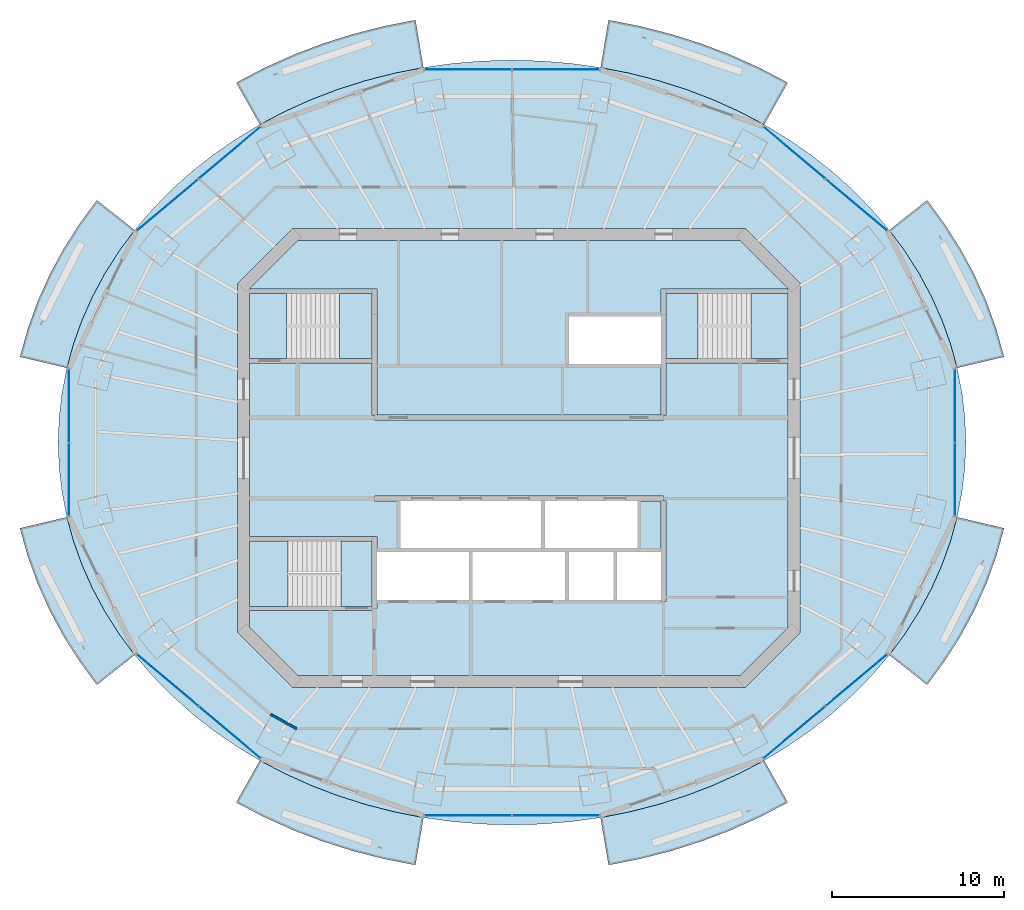
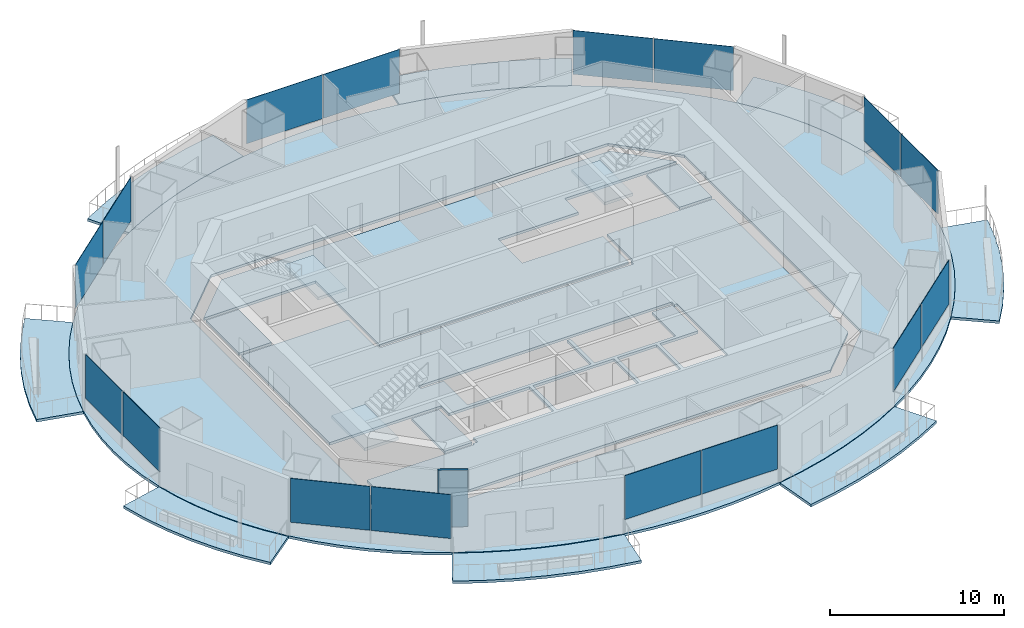
# One storey, part 7 of 16: 17 slabs, 16 plates, 1 wall, 11 elements without a shape of their own.
"""IFC4 building model written with IfcOpenShell, lengths in metres."""

from ifc_helpers import new_model, si_unit, direction, frame, frame_2d, origin, origin_2d, place, context, subcontext, project, spatial, polyline, rectangle, outline, extrude, material, layer, layer_set, type_object, element, aggregate, save


model = new_model("IFC4")

# Units and contexts
model_context = context("Model", 3, precision=1e-05, world=origin(), true_north=direction((0.0, 1.0)))
body_context = subcontext(model_context, "Body", "Model", "MODEL_VIEW")
ifc_project = project(units=[si_unit("LENGTHUNIT", "METRE"), si_unit("AREAUNIT", "SQUARE_METRE"), si_unit("VOLUMEUNIT", "CUBIC_METRE"), si_unit("PLANEANGLEUNIT", "RADIAN"), si_unit("MASSUNIT", "GRAM", prefix="KILO")], contexts=[model_context])

# Site, building, storey
site_placement = place(None, origin())
site = spatial("IfcSite", under=ifc_project, at=site_placement, CompositionType="ELEMENT")
building_placement = place(site_placement, origin())
building = spatial("IfcBuilding", under=site, at=building_placement, Name="Marenthal Gate Tower", CompositionType="ELEMENT")
storey_placement = place(building_placement, frame((0.0, 0.0, 363.35009765625)))
storey = spatial("IfcBuildingStorey", under=building, at=storey_placement, Name="L82", CompositionType="ELEMENT", Elevation=363.35009765625)

# Slabs
ifc_material_1 = material(Name="Concrete 40 MPa", Category="concrete")
ifc_layer_1 = layer(ifc_material_1, 0.179931640625)
ifc_layer_set_1 = layer_set([ifc_layer_1], Name="Balcony deck 180")
slab_type_1 = type_object("IfcSlabType", Name="Balcony deck 180", PredefinedType="USERDEFINED", material=ifc_layer_set_1)
slab_1_placement = place(storey_placement, frame((0.0, 0.0, -0.22021484375)))
element("IfcSlab", 1, at=slab_1_placement, inside=storey, type_object=slab_type_1, Name="Balcony deck L82 bay 1", ObjectType="BALCONY", PredefinedType="USERDEFINED", context=body_context, shape_type="SweptSolid", body=[
    extrude(outline(polyline([(25.47802734375, 5.237060546875), (25.0859375, 6.65380859375), (24.584716796875, 8.0458984375), (23.9765625, 9.407470703125), (23.263916015625, 10.732421875), (22.4501953125, 12.015380859375), (21.538330078125, 13.2509765625), (23.732177734375, 14.99072265625), (24.759765625, 13.59814453125), (25.680419921875, 12.14697265625), (26.4892578125, 10.642822265625), (27.181884765625, 9.09228515625), (27.75439453125, 7.50244140625), (28.203125, 5.88037109375), (25.47802734375, 5.237060546875)])), origin(), (0.0, 0.0, 1.0), 0.18017578125),
])
slab_2_placement = place(storey_placement, frame((0.0, 0.0, -0.22021484375)))
element("IfcSlab", 2, at=slab_2_placement, inside=storey, type_object=slab_type_1, Name="Balcony deck L82 bay 3", ObjectType="BALCONY", PredefinedType="USERDEFINED", context=body_context, shape_type="SweptSolid", body=[
    extrude(outline(polyline([(14.2587890625, 19.384521484375), (12.79248046875, 20.152587890625), (11.269775390625, 20.83837890625), (9.697021484375, 21.438720703125), (8.081298828125, 21.951171875), (6.428955078125, 22.37353515625), (4.74755859375, 22.703857421875), (5.210205078125, 25.46533203125), (7.04541015625, 25.104736328125), (8.85107421875, 24.643310546875), (10.61962890625, 24.08251953125), (12.34423828125, 23.424072265625), (14.017333984375, 22.67041015625), (15.63232421875, 21.82421875), (14.2587890625, 19.384521484375)])), origin(), (0.0, 0.0, 1.0), 0.18017578125),
])
slab_3_placement = place(storey_placement, frame((0.0, 0.0, -0.22021484375)))
element("IfcSlab", 3, at=slab_3_placement, inside=storey, type_object=slab_type_1, Name="Balcony deck L82 bay 5", ObjectType="BALCONY", PredefinedType="USERDEFINED", context=body_context, shape_type="SweptSolid", body=[
    extrude(outline(polyline([(-5.547607421875, 22.703857421875), (-7.22900390625, 22.37353515625), (-8.881103515625, 21.951171875), (-10.4970703125, 21.438720703125), (-12.06982421875, 20.83837890625), (-13.592529296875, 20.152587890625), (-15.05859375, 19.384521484375), (-16.432373046875, 21.82421875), (-14.8173828125, 22.67041015625), (-13.14404296875, 23.424072265625), (-11.419677734375, 24.08251953125), (-9.651123046875, 24.643310546875), (-7.845458984375, 25.104736328125), (-6.01025390625, 25.46533203125), (-5.547607421875, 22.703857421875)])), origin(), (0.0, 0.0, 1.0), 0.18017578125),
])
slab_4_placement = place(storey_placement, frame((0.0, 0.0, -0.22021484375)))
element("IfcSlab", 4, at=slab_4_placement, inside=storey, type_object=slab_type_1, Name="Balcony deck L82 bay 7", ObjectType="BALCONY", PredefinedType="USERDEFINED", context=body_context, shape_type="SweptSolid", body=[
    extrude(outline(polyline([(-22.33837890625, 13.2509765625), (-23.25, 12.015380859375), (-24.06396484375, 10.732421875), (-24.776611328125, 9.407470703125), (-25.384765625, 8.0458984375), (-25.885986328125, 6.65380859375), (-26.278076171875, 5.237060546875), (-29.003173828125, 5.88037109375), (-28.55419921875, 7.50244140625), (-27.98193359375, 9.09228515625), (-27.289306640625, 10.642822265625), (-26.48046875, 12.14697265625), (-25.559814453125, 13.59814453125), (-24.5322265625, 14.99072265625), (-22.33837890625, 13.2509765625)])), origin(), (0.0, 0.0, 1.0), 0.18017578125),
])
slab_5_placement = place(storey_placement, frame((0.0, 0.0, -0.22021484375)))
element("IfcSlab", 5, at=slab_5_placement, inside=storey, type_object=slab_type_1, Name="Balcony deck L82 bay 9", ObjectType="BALCONY", PredefinedType="USERDEFINED", context=body_context, shape_type="SweptSolid", body=[
    extrude(outline(polyline([(-26.278076171875, -3.43701171875), (-25.885986328125, -4.853759765625), (-25.384765625, -6.245849609375), (-24.776611328125, -7.607421875), (-24.06396484375, -8.9326171875), (-23.25, -10.215576171875), (-22.33837890625, -11.450927734375), (-24.5322265625, -13.190673828125), (-25.559814453125, -11.79833984375), (-26.48046875, -10.346923828125), (-27.289306640625, -8.8427734375), (-27.98193359375, -7.292236328125), (-28.55419921875, -5.702392578125), (-29.003173828125, -4.08056640625), (-26.278076171875, -3.43701171875)])), origin(), (0.0, 0.0, 1.0), 0.18017578125),
])
slab_6_placement = place(storey_placement, frame((0.0, 0.0, -0.22021484375)))
element("IfcSlab", 6, at=slab_6_placement, inside=storey, type_object=slab_type_1, Name="Balcony deck L82 bay 11", ObjectType="BALCONY", PredefinedType="USERDEFINED", context=body_context, shape_type="SweptSolid", body=[
    extrude(outline(polyline([(-15.05859375, -17.58447265625), (-13.592529296875, -18.3525390625), (-12.06982421875, -19.038330078125), (-10.4970703125, -19.638916015625), (-8.881103515625, -20.151123046875), (-7.22900390625, -20.573486328125), (-5.547607421875, -20.90380859375), (-6.01025390625, -23.665283203125), (-7.845458984375, -23.3046875), (-9.651123046875, -22.84326171875), (-11.419677734375, -22.282470703125), (-13.14404296875, -21.6240234375), (-14.8173828125, -20.87060546875), (-16.432373046875, -20.0244140625), (-15.05859375, -17.58447265625)])), origin(), (0.0, 0.0, 1.0), 0.18017578125),
])
slab_7_placement = place(storey_placement, frame((0.0, 0.0, -0.22021484375)))
element("IfcSlab", 7, at=slab_7_placement, inside=storey, type_object=slab_type_1, Name="Balcony deck L82 bay 13", ObjectType="BALCONY", PredefinedType="USERDEFINED", context=body_context, shape_type="SweptSolid", body=[
    extrude(outline(polyline([(4.74755859375, -20.90380859375), (6.428955078125, -20.573486328125), (8.081298828125, -20.151123046875), (9.697021484375, -19.638916015625), (11.269775390625, -19.038330078125), (12.79248046875, -18.3525390625), (14.2587890625, -17.58447265625), (15.63232421875, -20.0244140625), (14.017333984375, -20.87060546875), (12.34423828125, -21.6240234375), (10.61962890625, -22.282470703125), (8.85107421875, -22.84326171875), (7.04541015625, -23.3046875), (5.210205078125, -23.665283203125), (4.74755859375, -20.90380859375)])), origin(), (0.0, 0.0, 1.0), 0.18017578125),
])
slab_8_placement = place(storey_placement, frame((0.0, 0.0, -0.22021484375)))
element("IfcSlab", 8, at=slab_8_placement, inside=storey, type_object=slab_type_1, Name="Balcony deck L82 bay 15", ObjectType="BALCONY", PredefinedType="USERDEFINED", context=body_context, shape_type="SweptSolid", body=[
    extrude(outline(polyline([(21.538330078125, -11.450927734375), (22.4501953125, -10.215576171875), (23.263916015625, -8.9326171875), (23.9765625, -7.607421875), (24.584716796875, -6.245849609375), (25.0859375, -4.853759765625), (25.47802734375, -3.43701171875), (28.203125, -4.08056640625), (27.75439453125, -5.702392578125), (27.181884765625, -7.292236328125), (26.4892578125, -8.8427734375), (25.680419921875, -10.346923828125), (24.759765625, -11.79833984375), (23.732177734375, -13.190673828125), (21.538330078125, -11.450927734375)])), origin(), (0.0, 0.0, 1.0), 0.18017578125),
])
ifc_material_2 = material(Name="Concrete 50 MPa", Category="concrete")
ifc_layer_2 = layer(ifc_material_2, 0.179931640625)
ifc_layer_set_2 = layer_set([ifc_layer_2], Name="Core floor slab 180")
slab_type_2 = type_object("IfcSlabType", Name="Core floor slab 180", PredefinedType="FLOOR", material=ifc_layer_set_2)
slab_9_placement = place(storey_placement, frame((0.0, 0.0, -0.18017578125)))
element("IfcSlab", 9, at=slab_9_placement, inside=storey, type_object=slab_type_2, Name="Core floor L82", PredefinedType="FLOOR", context=body_context, shape_type="SweptSolid", body=[
    extrude(outline(polyline([(12.85498046875, -12.64990234375), (-12.85498046875, -12.64990234375), (-15.64990234375, -9.85498046875), (-15.64990234375, -8.875), (-8.550048828125, -8.875), (-8.550048828125, -8.75), (-8.25, -8.75), (-8.25, -8.239990234375), (-5.60009765625, -8.239990234375), (-2.909912109375, -8.239990234375), (-2.909912109375, -5.4599609375), (-5.60009765625, -5.4599609375), (-8.25, -5.4599609375), (-8.25, -4.574951171875), (-8.550048828125, -4.574951171875), (-15.64990234375, -4.574951171875), (-15.64990234375, 5.52490234375), (-8.550048828125, 5.52490234375), (-8.550048828125, 2.5), (-8.39990234375, 2.5), (-8.39990234375, 2.199951171875), (8.39990234375, 2.199951171875), (8.39990234375, 2.5), (8.550048828125, 2.5), (8.550048828125, 5.52490234375), (15.64990234375, 5.52490234375), (15.64990234375, -9.85498046875), (12.85498046875, -12.64990234375)]), holes=[polyline([(0.0, -8.239990234375), (2.68994140625, -8.239990234375), (2.68994140625, -5.4599609375), (0.0, -5.4599609375), (-2.68994140625, -5.4599609375), (-2.68994140625, -8.239990234375), (0.0, -8.239990234375)]), polyline([(1.2900390625, -5.239990234375), (1.2900390625, -2.5), (1.510009765625, -2.5), (1.510009765625, -5.239990234375), (4.199951171875, -5.239990234375), (6.889892578125, -5.239990234375), (6.889892578125, -2.5), (8.25, -2.5), (8.25, -5.4599609375), (5.7099609375, -5.4599609375), (5.7099609375, -8.239990234375), (8.25, -8.239990234375), (8.25, -8.35009765625), (8.550048828125, -8.35009765625), (8.550048828125, -2.5), (8.39990234375, -2.5), (8.39990234375, -2.199951171875), (-8.39990234375, -2.199951171875), (-8.39990234375, -2.5), (-6.889892578125, -2.5), (-6.889892578125, -5.239990234375), (-4.199951171875, -5.239990234375), (-1.39990234375, -5.239990234375), (1.2900390625, -5.239990234375)]), polyline([(5.489990234375, -5.4599609375), (2.909912109375, -5.4599609375), (2.909912109375, -8.239990234375), (5.489990234375, -8.239990234375), (5.489990234375, -5.4599609375)])]), origin(), (0.0, 0.0, 1.0), 0.18017578125),
])
slab_10_placement = place(storey_placement, frame((0.0, 0.0, -0.18017578125)))
element("IfcSlab", 10, at=slab_10_placement, inside=storey, type_object=slab_type_2, Name="Core floor L82", PredefinedType="FLOOR", context=body_context, shape_type="SweptSolid", body=[
    extrude(outline(polyline([(15.64990234375, 5.77490234375), (13.5, 5.77490234375), (13.5, 9.574951171875), (15.64990234375, 9.574951171875), (15.64990234375, 5.77490234375)])), origin(), (0.0, 0.0, 1.0), 0.18017578125),
])
slab_11_placement = place(storey_placement, frame((0.0, 0.0, -0.18017578125)))
element("IfcSlab", 11, at=slab_11_placement, inside=storey, type_object=slab_type_2, Name="Core floor L82", PredefinedType="FLOOR", context=body_context, shape_type="SweptSolid", body=[
    extrude(outline(polyline([(15.64990234375, 9.824951171875), (8.550048828125, 9.824951171875), (8.25, 9.824951171875), (8.25, 8.35009765625), (8.25, 8.239990234375), (5.60009765625, 8.239990234375), (2.909912109375, 8.239990234375), (2.909912109375, 5.4599609375), (5.60009765625, 5.4599609375), (8.25, 5.4599609375), (8.25, 2.5), (-8.25, 2.5), (-8.25, 8.35009765625), (-8.25, 9.824951171875), (-8.550048828125, 9.824951171875), (-15.64990234375, 9.824951171875), (-15.64990234375, 9.85498046875), (-12.85498046875, 12.64990234375), (12.85498046875, 12.64990234375), (15.64990234375, 9.85498046875), (15.64990234375, 9.824951171875)])), origin(), (0.0, 0.0, 1.0), 0.18017578125),
])
slab_12_placement = place(storey_placement, frame((0.0, 0.0, -0.18017578125)))
element("IfcSlab", 12, at=slab_12_placement, inside=storey, type_object=slab_type_2, Name="Core floor L82", PredefinedType="FLOOR", context=body_context, shape_type="SweptSolid", body=[
    extrude(outline(polyline([(-15.64990234375, 9.574951171875), (-13.5, 9.574951171875), (-13.5, 5.77490234375), (-15.64990234375, 5.77490234375), (-15.64990234375, 9.574951171875)])), origin(), (0.0, 0.0, 1.0), 0.18017578125),
])
slab_13_placement = place(storey_placement, frame((0.0, 0.0, -0.18017578125)))
element("IfcSlab", 13, at=slab_13_placement, inside=storey, type_object=slab_type_2, Name="Core floor L82", PredefinedType="FLOOR", context=body_context, shape_type="SweptSolid", body=[
    extrude(outline(polyline([(-8.550048828125, -4.824951171875), (-8.550048828125, -8.625), (-10.35009765625, -8.625), (-10.35009765625, -4.824951171875), (-8.550048828125, -4.824951171875)])), origin(), (0.0, 0.0, 1.0), 0.18017578125),
])
ifc_material_3 = material(Name="Concrete 35 MPa", Category="concrete")
ifc_layer_3 = layer(ifc_material_3, 0.179931640625)
ifc_layer_set_3 = layer_set([ifc_layer_3], Name="Floor slab 180")
slab_type_3 = type_object("IfcSlabType", Name="Floor slab 180", PredefinedType="FLOOR", material=ifc_layer_set_3)
slab_14_placement = place(storey_placement, frame((0.0, 0.0, -0.18017578125)))
element("IfcSlab", 14, at=slab_14_placement, inside=storey, type_object=slab_type_3, Name="SL-L82-01", PredefinedType="FLOOR", context=body_context, shape_type="SweptSolid", body=[
    extrude(outline(polyline([(25.985107421875, 0.89990234375), (25.928466796875, 2.35400390625), (25.75927734375, 3.8017578125), (25.47802734375, 5.237060546875), (25.0859375, 6.65380859375), (24.584716796875, 8.0458984375), (23.9765625, 9.407470703125), (23.263916015625, 10.732421875), (22.4501953125, 12.015380859375), (21.538330078125, 13.2509765625), (20.53271484375, 14.433349609375), (19.437255859375, 15.557861328125), (18.257080078125, 16.61962890625), (16.996826171875, 17.6142578125), (15.662109375, 18.537109375), (14.2587890625, 19.384521484375), (12.79248046875, 20.152587890625), (11.269775390625, 20.83837890625), (9.697021484375, 21.438720703125), (8.081298828125, 21.951171875), (6.428955078125, 22.37353515625), (4.74755859375, 22.703857421875), (3.0439453125, 22.94091796875), (1.32568359375, 23.08349609375), (-0.39990234375, 23.131103515625), (-2.125732421875, 23.08349609375), (-3.843994140625, 22.94091796875), (-5.547607421875, 22.703857421875), (-7.22900390625, 22.37353515625), (-8.881103515625, 21.951171875), (-10.4970703125, 21.438720703125), (-12.06982421875, 20.83837890625), (-13.592529296875, 20.152587890625), (-15.05859375, 19.384521484375), (-16.462158203125, 18.537109375), (-17.796875, 17.6142578125), (-19.056884765625, 16.61962890625), (-20.2373046875, 15.557861328125), (-21.33251953125, 14.433349609375), (-22.33837890625, 13.2509765625), (-23.25, 12.015380859375), (-24.06396484375, 10.732421875), (-24.776611328125, 9.407470703125), (-25.384765625, 8.0458984375), (-25.885986328125, 6.65380859375), (-26.278076171875, 5.237060546875), (-26.559326171875, 3.8017578125), (-26.728515625, 2.35400390625), (-26.784912109375, 0.89990234375), (-26.728515625, -0.553955078125), (-26.559326171875, -2.001708984375), (-26.278076171875, -3.43701171875), (-25.885986328125, -4.853759765625), (-25.384765625, -6.245849609375), (-24.776611328125, -7.607421875), (-24.06396484375, -8.9326171875), (-23.25, -10.215576171875), (-22.33837890625, -11.450927734375), (-21.33251953125, -12.63330078125), (-20.2373046875, -13.7578125), (-19.056884765625, -14.819580078125), (-17.796875, -15.814208984375), (-16.462158203125, -16.737060546875), (-15.05859375, -17.58447265625), (-13.592529296875, -18.3525390625), (-12.06982421875, -19.038330078125), (-10.4970703125, -19.638916015625), (-8.881103515625, -20.151123046875), (-7.22900390625, -20.573486328125), (-5.547607421875, -20.90380859375), (-3.843994140625, -21.140869140625), (-2.125732421875, -21.283447265625), (-0.39990234375, -21.3310546875), (1.32568359375, -21.283447265625), (3.0439453125, -21.140869140625), (4.74755859375, -20.90380859375), (6.428955078125, -20.573486328125), (8.081298828125, -20.151123046875), (9.697021484375, -19.638916015625), (11.269775390625, -19.038330078125), (12.79248046875, -18.3525390625), (14.2587890625, -17.58447265625), (15.662109375, -16.737060546875), (16.996826171875, -15.814208984375), (18.257080078125, -14.819580078125), (19.437255859375, -13.7578125), (20.53271484375, -12.63330078125), (21.538330078125, -11.450927734375), (22.4501953125, -10.215576171875), (23.263916015625, -8.9326171875), (23.9765625, -7.607421875), (24.584716796875, -6.245849609375), (25.0859375, -4.853759765625), (25.47802734375, -3.43701171875), (25.75927734375, -2.001708984375), (25.928466796875, -0.553955078125), (25.985107421875, 0.89990234375)]), holes=[polyline([(13.14501953125, -13.35009765625), (16.35009765625, -10.14501953125), (16.35009765625, 10.14501953125), (13.14501953125, 13.35009765625), (-13.14501953125, 13.35009765625), (-16.35009765625, 10.14501953125), (-16.35009765625, -10.14501953125), (-13.14501953125, -13.35009765625), (13.14501953125, -13.35009765625)])]), origin(), (0.0, 0.0, 1.0), 0.18017578125),
])

# Curtain wall, plates
ifc_material_4 = material(Name="Aluminium and glass", Category="aluminium")
curtain_wall_type = type_object("IfcCurtainWallType", Name="Curtain wall typical high", PredefinedType="NOTDEFINED", material=ifc_material_4)
curtain_wall_1_placement = place(storey_placement, origin())
curtain_wall_1 = element("IfcCurtainWall", 15, at=curtain_wall_1_placement, inside=storey, type_object=curtain_wall_type, Name="Curtain wall L82 bay 2", PredefinedType="NOTDEFINED")
ifc_material_5 = material(Name="Glass, laminated insulating unit", Category="glass")
ifc_layer_4 = layer(ifc_material_5, 0.031982421875)
ifc_layer_set_4 = layer_set([ifc_layer_4], Name="Glass panel 32 typical high")
plate_type = type_object("IfcPlateType", Name="Glass panel 32 typical high", PredefinedType="CURTAIN_PANEL", material=ifc_layer_set_4)
plate_1_placement = place(storey_placement, frame((19.615478515625, 14.718994140625, 0.89990234375), z_axis=(0.0, 0.0, 1.0), x_axis=(-0.765006459905, 0.644022605429, 0.0)))
plate_1 = element("IfcPlate", 16, at=plate_1_placement, type_object=plate_type, Name="Glass panel L82 bay 2.1", PredefinedType="CURTAIN_PANEL", context=body_context, shape_type="SweptSolid", body=[
    extrude(rectangle(XDim=4.646240234375, YDim=0.031982421875, at=origin_2d()), origin(), (0.0, 0.0, 1.0), 3.070068359375),
])
plate_2_placement = place(storey_placement, frame((16.01513671875, 17.749755859375, 0.89990234375), z_axis=(0.0, 0.0, 1.0), x_axis=(-0.765006459905, 0.644022605429, 0.0)))
plate_2 = element("IfcPlate", 17, at=plate_2_placement, type_object=plate_type, Name="Glass panel L82 bay 2.2", PredefinedType="CURTAIN_PANEL", context=body_context, shape_type="SweptSolid", body=[
    extrude(rectangle(XDim=4.64599609375, YDim=0.031982421875, at=origin_2d()), origin(), (0.0, 0.0, 1.0), 3.070068359375),
])
aggregate(curtain_wall_1, [plate_1, plate_2])

curtain_wall_2_placement = place(storey_placement, origin())
curtain_wall_2 = element("IfcCurtainWall", 18, at=curtain_wall_2_placement, inside=storey, type_object=curtain_wall_type, Name="Curtain wall L82 bay 4", PredefinedType="NOTDEFINED")
plate_3_placement = place(storey_placement, frame((2.14697265625, 22.586181640625, 0.89990234375), z_axis=(0.0, 0.0, 1.0), x_axis=(-1.0, 0.0, 0.0)))
plate_3 = element("IfcPlate", 19, at=plate_3_placement, type_object=plate_type, Name="Glass panel L82 bay 4.1", PredefinedType="CURTAIN_PANEL", context=body_context, shape_type="SweptSolid", body=[
    extrude(rectangle(XDim=5.033935546875, YDim=0.031982421875, at=origin_2d()), origin(), (0.0, 0.0, 1.0), 3.070068359375),
])
plate_4_placement = place(storey_placement, frame((-2.947021484375, 22.586181640625, 0.89990234375), z_axis=(0.0, 0.0, 1.0), x_axis=(-1.0, 0.0, 0.0)))
plate_4 = element("IfcPlate", 20, at=plate_4_placement, type_object=plate_type, Name="Glass panel L82 bay 4.2", PredefinedType="CURTAIN_PANEL", context=body_context, shape_type="SweptSolid", body=[
    extrude(rectangle(XDim=5.033935546875, YDim=0.031982421875, at=origin_2d()), origin(), (0.0, 0.0, 1.0), 3.070068359375),
])
aggregate(curtain_wall_2, [plate_3, plate_4])

curtain_wall_3_placement = place(storey_placement, origin())
curtain_wall_3 = element("IfcCurtainWall", 21, at=curtain_wall_3_placement, inside=storey, type_object=curtain_wall_type, Name="Curtain wall L82 bay 6", PredefinedType="NOTDEFINED")
plate_5_placement = place(storey_placement, frame((-16.815185546875, 17.749755859375, 0.89990234375), z_axis=(0.0, 0.0, 1.0), x_axis=(-0.765006459905, -0.644022605429, 0.0)))
plate_5 = element("IfcPlate", 22, at=plate_5_placement, type_object=plate_type, Name="Glass panel L82 bay 6.1", PredefinedType="CURTAIN_PANEL", context=body_context, shape_type="SweptSolid", body=[
    extrude(rectangle(XDim=4.646240234375, YDim=0.031982421875, at=origin_2d()), origin(), (0.0, 0.0, 1.0), 3.070068359375),
])
plate_6_placement = place(storey_placement, frame((-20.41552734375, 14.718994140625, 0.89990234375), z_axis=(0.0, 0.0, 1.0), x_axis=(-0.765006459905, -0.644022605429, 0.0)))
plate_6 = element("IfcPlate", 23, at=plate_6_placement, type_object=plate_type, Name="Glass panel L82 bay 6.2", PredefinedType="CURTAIN_PANEL", context=body_context, shape_type="SweptSolid", body=[
    extrude(rectangle(XDim=4.64599609375, YDim=0.031982421875, at=origin_2d()), origin(), (0.0, 0.0, 1.0), 3.070068359375),
])
aggregate(curtain_wall_3, [plate_5, plate_6])

curtain_wall_4_placement = place(storey_placement, origin())
curtain_wall_4 = element("IfcCurtainWall", 24, at=curtain_wall_4_placement, inside=storey, type_object=curtain_wall_type, Name="Curtain wall L82 bay 8", PredefinedType="NOTDEFINED")
plate_7_placement = place(storey_placement, frame((-26.160400390625, 3.041748046875, 0.89990234375), z_axis=(0.0, 0.0, 1.0), x_axis=(0.0, -1.0, 0.0)))
plate_7 = element("IfcPlate", 25, at=plate_7_placement, type_object=plate_type, Name="Glass panel L82 bay 8.1", PredefinedType="CURTAIN_PANEL", context=body_context, shape_type="SweptSolid", body=[
    extrude(rectangle(XDim=4.2236328125, YDim=0.031982421875, at=origin_2d()), origin(), (0.0, 0.0, 1.0), 3.070068359375),
])
plate_8_placement = place(storey_placement, frame((-26.160400390625, -1.24169921875, 0.89990234375), z_axis=(0.0, 0.0, 1.0), x_axis=(0.0, -1.0, 0.0)))
plate_8 = element("IfcPlate", 26, at=plate_8_placement, type_object=plate_type, Name="Glass panel L82 bay 8.2", PredefinedType="CURTAIN_PANEL", context=body_context, shape_type="SweptSolid", body=[
    extrude(rectangle(XDim=4.2236328125, YDim=0.031982421875, at=origin_2d()), origin(), (0.0, 0.0, 1.0), 3.070068359375),
])
aggregate(curtain_wall_4, [plate_7, plate_8])

curtain_wall_5_placement = place(storey_placement, origin())
curtain_wall_5 = element("IfcCurtainWall", 27, at=curtain_wall_5_placement, inside=storey, type_object=curtain_wall_type, Name="Curtain wall L82 bay 10", PredefinedType="NOTDEFINED")
plate_9_placement = place(storey_placement, frame((-20.41552734375, -12.9189453125, 0.89990234375), z_axis=(0.0, 0.0, 1.0), x_axis=(0.765006459905, -0.644022605429, 0.0)))
plate_9 = element("IfcPlate", 28, at=plate_9_placement, type_object=plate_type, Name="Glass panel L82 bay 10.1", PredefinedType="CURTAIN_PANEL", context=body_context, shape_type="SweptSolid", body=[
    extrude(rectangle(XDim=4.646240234375, YDim=0.031982421875, at=origin_2d()), origin(), (0.0, 0.0, 1.0), 3.070068359375),
])
plate_10_placement = place(storey_placement, frame((-16.815185546875, -15.949951171875, 0.89990234375), z_axis=(0.0, 0.0, 1.0), x_axis=(0.765006459905, -0.644022605429, 0.0)))
plate_10 = element("IfcPlate", 29, at=plate_10_placement, type_object=plate_type, Name="Glass panel L82 bay 10.2", PredefinedType="CURTAIN_PANEL", context=body_context, shape_type="SweptSolid", body=[
    extrude(rectangle(XDim=4.64599609375, YDim=0.031982421875, at=origin_2d()), origin(), (0.0, 0.0, 1.0), 3.070068359375),
])
aggregate(curtain_wall_5, [plate_9, plate_10])

curtain_wall_6_placement = place(storey_placement, origin())
curtain_wall_6 = element("IfcCurtainWall", 30, at=curtain_wall_6_placement, inside=storey, type_object=curtain_wall_type, Name="Curtain wall L82 bay 12", PredefinedType="NOTDEFINED")
plate_11_placement = place(storey_placement, frame((-2.947021484375, -20.7861328125, 0.89990234375), z_axis=(0.0, 0.0, 1.0), x_axis=(1.0, 0.0, 0.0)))
plate_11 = element("IfcPlate", 31, at=plate_11_placement, type_object=plate_type, Name="Glass panel L82 bay 12.1", PredefinedType="CURTAIN_PANEL", context=body_context, shape_type="SweptSolid", body=[
    extrude(rectangle(XDim=5.033935546875, YDim=0.031982421875, at=origin_2d()), origin(), (0.0, 0.0, 1.0), 3.070068359375),
])
plate_12_placement = place(storey_placement, frame((2.14697265625, -20.7861328125, 0.89990234375), z_axis=(0.0, 0.0, 1.0), x_axis=(1.0, 0.0, 0.0)))
plate_12 = element("IfcPlate", 32, at=plate_12_placement, type_object=plate_type, Name="Glass panel L82 bay 12.2", PredefinedType="CURTAIN_PANEL", context=body_context, shape_type="SweptSolid", body=[
    extrude(rectangle(XDim=5.033935546875, YDim=0.031982421875, at=origin_2d()), origin(), (0.0, 0.0, 1.0), 3.070068359375),
])
aggregate(curtain_wall_6, [plate_11, plate_12])

curtain_wall_7_placement = place(storey_placement, origin())
curtain_wall_7 = element("IfcCurtainWall", 33, at=curtain_wall_7_placement, inside=storey, type_object=curtain_wall_type, Name="Curtain wall L82 bay 14", PredefinedType="NOTDEFINED")
plate_13_placement = place(storey_placement, frame((16.01513671875, -15.949951171875, 0.89990234375), z_axis=(0.0, 0.0, 1.0), x_axis=(0.765006459905, 0.644022605429, 0.0)))
plate_13 = element("IfcPlate", 34, at=plate_13_placement, type_object=plate_type, Name="Glass panel L82 bay 14.1", PredefinedType="CURTAIN_PANEL", context=body_context, shape_type="SweptSolid", body=[
    extrude(rectangle(XDim=4.646240234375, YDim=0.031982421875, at=origin_2d()), origin(), (0.0, 0.0, 1.0), 3.070068359375),
])
plate_14_placement = place(storey_placement, frame((19.615478515625, -12.9189453125, 0.89990234375), z_axis=(0.0, 0.0, 1.0), x_axis=(0.765006459905, 0.644022605429, 0.0)))
plate_14 = element("IfcPlate", 35, at=plate_14_placement, type_object=plate_type, Name="Glass panel L82 bay 14.2", PredefinedType="CURTAIN_PANEL", context=body_context, shape_type="SweptSolid", body=[
    extrude(rectangle(XDim=4.64599609375, YDim=0.031982421875, at=origin_2d()), origin(), (0.0, 0.0, 1.0), 3.070068359375),
])
aggregate(curtain_wall_7, [plate_13, plate_14])

curtain_wall_8_placement = place(storey_placement, origin())
curtain_wall_8 = element("IfcCurtainWall", 36, at=curtain_wall_8_placement, inside=storey, type_object=curtain_wall_type, Name="Curtain wall L82 bay 16", PredefinedType="NOTDEFINED")
plate_15_placement = place(storey_placement, frame((25.3603515625, -1.24169921875, 0.89990234375), z_axis=(0.0, 0.0, 1.0), x_axis=(0.0, 1.0, 0.0)))
plate_15 = element("IfcPlate", 37, at=plate_15_placement, type_object=plate_type, Name="Glass panel L82 bay 16.1", PredefinedType="CURTAIN_PANEL", context=body_context, shape_type="SweptSolid", body=[
    extrude(rectangle(XDim=4.2236328125, YDim=0.031982421875, at=origin_2d()), origin(), (0.0, 0.0, 1.0), 3.070068359375),
])
plate_16_placement = place(storey_placement, frame((25.3603515625, 3.041748046875, 0.89990234375), z_axis=(0.0, 0.0, 1.0), x_axis=(0.0, 1.0, 0.0)))
plate_16 = element("IfcPlate", 38, at=plate_16_placement, type_object=plate_type, Name="Glass panel L82 bay 16.2", PredefinedType="CURTAIN_PANEL", context=body_context, shape_type="SweptSolid", body=[
    extrude(rectangle(XDim=4.2236328125, YDim=0.031982421875, at=origin_2d()), origin(), (0.0, 0.0, 1.0), 3.070068359375),
])
aggregate(curtain_wall_8, [plate_15, plate_16])

# Stair, slab
ifc_material_6 = material(Name="Concrete 40 MPa", Category="concrete")
stair_type = type_object("IfcStairType", Name="Exit stair 1800", PredefinedType="HALF_TURN_STAIR", material=ifc_material_6)
stair_1_placement = place(storey_placement, origin())
stair_1 = element("IfcStair", 39, at=stair_1_placement, inside=storey, type_object=stair_type, Name="Stair ST1", PredefinedType="HALF_TURN_STAIR")
ifc_material_7 = material(Name="Concrete 40 MPa", Category="concrete")
ifc_layer_5 = layer(ifc_material_7, 0.199951171875)
ifc_layer_set_5 = layer_set([ifc_layer_5], Name="Stair landing 200")
slab_type_4 = type_object("IfcSlabType", Name="Stair landing 200", PredefinedType="LANDING", material=ifc_layer_set_5)
slab_15_placement = place(storey_placement, frame((0.0, 0.0, 1.875)))
slab_15 = element("IfcSlab", 40, at=slab_15_placement, type_object=slab_type_4, Name="ST1 landing 1", PredefinedType="LANDING", context=body_context, shape_type="SweptSolid", body=[
    extrude(outline(polyline([(-10.419921875, 5.77490234375), (-8.550048828125, 5.77490234375), (-8.550048828125, 9.574951171875), (-10.419921875, 9.574951171875), (-10.419921875, 5.77490234375)])), origin(), (0.0, 0.0, 1.0), 0.199951171875),
])
aggregate(stair_1, [slab_15])

stair_2_placement = place(storey_placement, origin())
stair_2 = element("IfcStair", 41, at=stair_2_placement, inside=storey, type_object=stair_type, Name="Stair ST2", PredefinedType="HALF_TURN_STAIR")
slab_16_placement = place(storey_placement, frame((0.0, 0.0, 1.875)))
slab_16 = element("IfcSlab", 42, at=slab_16_placement, type_object=slab_type_4, Name="ST2 landing 1", PredefinedType="LANDING", context=body_context, shape_type="SweptSolid", body=[
    extrude(outline(polyline([(-15.64990234375, -8.625), (-13.429931640625, -8.625), (-13.429931640625, -4.824951171875), (-15.64990234375, -4.824951171875), (-15.64990234375, -8.625)])), origin(), (0.0, 0.0, 1.0), 0.199951171875),
])
aggregate(stair_2, [slab_16])

stair_3_placement = place(storey_placement, origin())
stair_3 = element("IfcStair", 43, at=stair_3_placement, inside=storey, type_object=stair_type, Name="Stair ST3", PredefinedType="HALF_TURN_STAIR")
slab_17_placement = place(storey_placement, frame((0.0, 0.0, 1.875)))
slab_17 = element("IfcSlab", 44, at=slab_17_placement, type_object=slab_type_4, Name="ST3 landing 1", PredefinedType="LANDING", context=body_context, shape_type="SweptSolid", body=[
    extrude(outline(polyline([(8.550048828125, 5.77490234375), (10.419921875, 5.77490234375), (10.419921875, 9.574951171875), (8.550048828125, 9.574951171875), (8.550048828125, 5.77490234375)])), origin(), (0.0, 0.0, 1.0), 0.199951171875),
])
aggregate(stair_3, [slab_17])

# Wall
ifc_material_8 = material(Name="Gypsum board on steel studs", Category="steel")
ifc_layer_6 = layer(ifc_material_8, 0.14990234375)
ifc_layer_set_6 = layer_set([ifc_layer_6], Name="Partition 150")
wall_type = type_object("IfcWallType", Name="Partition 150", PredefinedType="PARTITIONING", material=ifc_layer_set_6)
wall_placement = place(storey_placement, frame((-12.916015625, -15.75, 0.0), z_axis=(0.0, 0.0, 1.0), x_axis=(-0.87407797583, 0.485785644259, 0.0)))
element("IfcWall", 45, at=wall_placement, inside=storey, type_object=wall_type, Name="Partition wall 59", PredefinedType="PARTITIONING", context=body_context, shape_type="SweptSolid", body=[
    extrude(rectangle(XDim=1.742919921875, YDim=0.14990234375, at=frame_2d((0.87158203125, 0.0))), origin(), (0.0, 0.0, 1.0), 3.969970703125),
])

save(model, "model.ifc")
